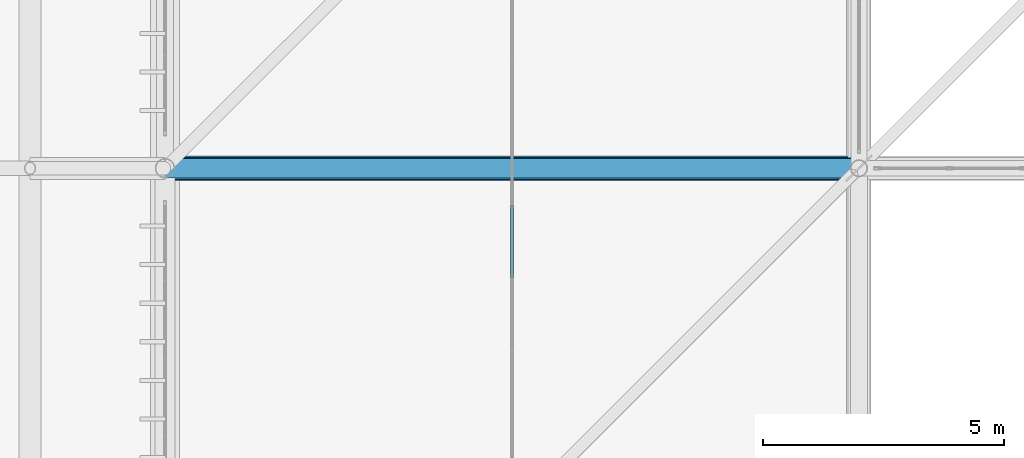
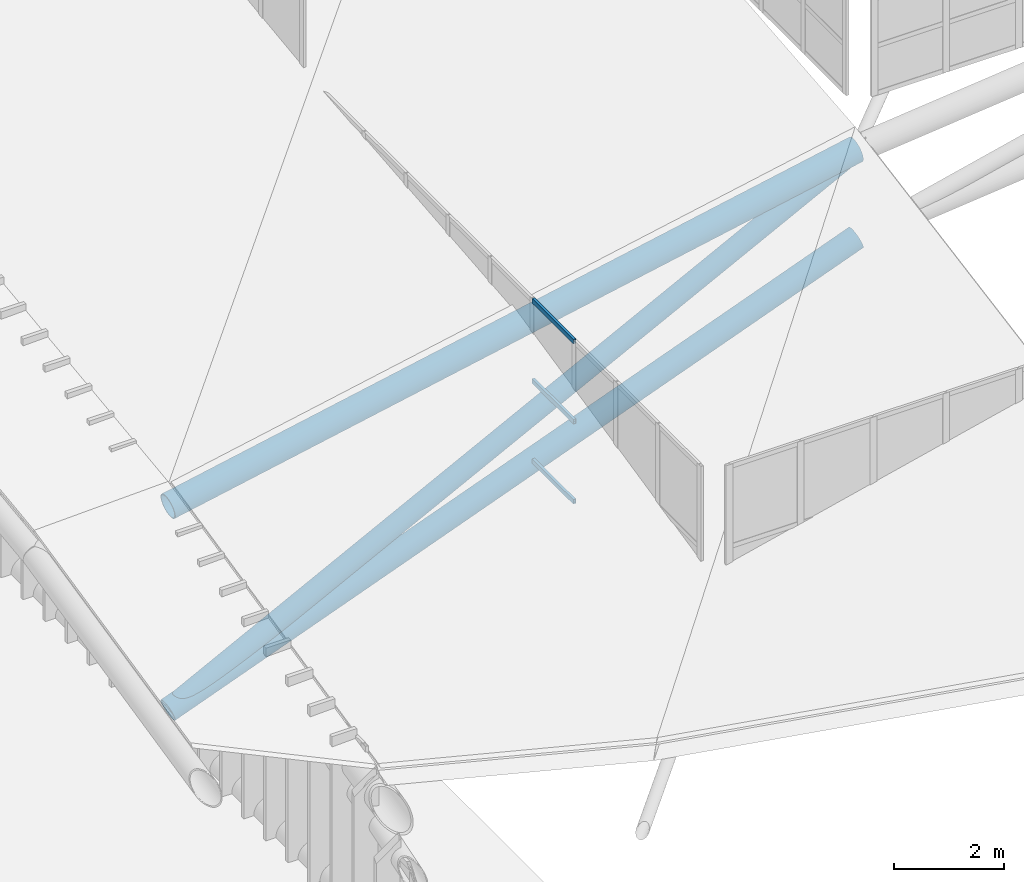
# One storey, part 16 of 397: 4 members, 2 beams, 1 element without a shape of its own.
"""IFC4 building model written with IfcOpenShell, lengths in metres."""

from ifc_helpers import new_model, si_unit, direction, frame, origin, origin_2d, place, context, subcontext, project, spatial, hollow_rectangle, hollow_circle, extrude, material, material_profile, profile_set, type_object, element, aggregate, save


model = new_model("IFC4")

# Units and contexts
model_context = context("Model", 3, precision=1e-05, world=origin(), true_north=direction((0.0, 1.0)))
body_context = subcontext(model_context, "Body", "Model", "MODEL_VIEW")
ifc_project = project(units=[si_unit("LENGTHUNIT", "METRE"), si_unit("AREAUNIT", "SQUARE_METRE"), si_unit("VOLUMEUNIT", "CUBIC_METRE"), si_unit("PLANEANGLEUNIT", "RADIAN"), si_unit("MASSUNIT", "GRAM", prefix="KILO")], contexts=[model_context])

# Site, building, storey
site_placement = place(None, origin())
site = spatial("IfcSite", under=ifc_project, at=site_placement, CompositionType="ELEMENT")
building_placement = place(site_placement, origin())
building = spatial("IfcBuilding", under=site, at=building_placement, Name="Qandorah Velis Arena", CompositionType="ELEMENT")
storey_placement = place(building_placement, frame((0.0, 0.0, 27.5)))
storey = spatial("IfcBuildingStorey", under=building, at=storey_placement, Name="RF", CompositionType="ELEMENT", Elevation=27.5)

# Curtain wall, members
ifc_material_1 = material(Name="Solar-control low-E double glazing", Category="glass")
curtain_wall_type = type_object("IfcCurtainWallType", Name="ARC-CW-SYS07", PredefinedType="USERDEFINED", material=ifc_material_1)
curtain_wall_placement = place(storey_placement, origin())
curtain_wall = element("IfcCurtainWall", 1, at=curtain_wall_placement, inside=storey, type_object=curtain_wall_type, Name="Unitised curtain wall MON-1-1", ObjectType="UNITISED CURTAIN WALL", PredefinedType="USERDEFINED")
ifc_material_2 = material(Name="Champagne-bronze anodized aluminium 6063-T6", Category="aluminium")
ifc_material_profile_1 = material_profile(ifc_material_2, hollow_rectangle(XDim=0.054931640625, YDim=0.10009765625, WallThickness=0.0029296875, at=origin_2d()), Name="ALU TRANSOM 55x100")
ifc_profile_set_1 = profile_set([ifc_material_profile_1], Name="Champagne-bronze anodized aluminium 6063-T6")
member_type_1 = type_object("IfcMemberType", Name="ARC-CWT-100", PredefinedType="USERDEFINED", material=ifc_profile_set_1)
member_1_placement = place(storey_placement, frame((21.60009765625, 26.5322265625, 3.56884765625), z_axis=(0.0, 1.0, 0.0), x_axis=(-1.0, 0.0, 0.0)))
member_1 = element("IfcMember", 2, at=member_1_placement, type_object=member_type_1, Name="CW07 transom 4.1", ObjectType="TRANSOM", PredefinedType="USERDEFINED", context=body_context, shape_type="SweptSolid", body=[
    extrude(hollow_rectangle(XDim=0.054931640625, YDim=0.10009765625, WallThickness=0.0029296875, at=origin_2d()), origin(), (0.0, 0.0, 1.0), 1.4912109375),
])
member_2_placement = place(storey_placement, frame((21.60009765625, 26.5322265625, 5.34130859375), z_axis=(0.0, 1.0, 0.0), x_axis=(-1.0, 0.0, 0.0)))
member_2 = element("IfcMember", 3, at=member_2_placement, type_object=member_type_1, Name="CW07 transom 4.2", ObjectType="TRANSOM", PredefinedType="USERDEFINED", context=body_context, shape_type="SweptSolid", body=[
    extrude(hollow_rectangle(XDim=0.054931640625, YDim=0.10009765625, WallThickness=0.0029296875, at=origin_2d()), origin(), (0.0, 0.0, 1.0), 1.4912109375),
])
member_3_placement = place(storey_placement, frame((21.60009765625, 26.5322265625, 7.114013671875), z_axis=(0.0, 1.0, 0.0), x_axis=(-1.0, 0.0, 0.0)))
member_3 = element("IfcMember", 4, at=member_3_placement, type_object=member_type_1, Name="CW07 transom 4.3", ObjectType="TRANSOM", PredefinedType="USERDEFINED", context=body_context, shape_type="SweptSolid", body=[
    extrude(hollow_rectangle(XDim=0.054931640625, YDim=0.10009765625, WallThickness=0.0029296875, at=origin_2d()), origin(), (0.0, 0.0, 1.0), 1.4912109375),
])
aggregate(curtain_wall, [member_1, member_2, member_3])

# Beams
ifc_material_3 = material(Name="Steel S355", Category="steel")
ifc_material_profile_2 = material_profile(ifc_material_3, hollow_circle(Radius=0.228515625, WallThickness=0.01611328125, at=origin_2d()), Name="CHS 457x16")
ifc_profile_set_2 = profile_set([ifc_material_profile_2], Name="Steel S355")
beam_type_1 = type_object("IfcBeamType", Name="STR-SFC-CHS457X16", PredefinedType="USERDEFINED", material=ifc_profile_set_2)
beam_1_placement = place(storey_placement, frame((14.39990234375, 28.800048828125, 0.10009765625), z_axis=(0.936003351498, 0.0, 0.351991087933), x_axis=(0.0, 1.0, 0.0)))
element("IfcBeam", 5, at=beam_1_placement, inside=storey, type_object=beam_type_1, Name="Space frame roof truss bottom chord X 0.1", ObjectType="ROOF TRUSS", PredefinedType="USERDEFINED", context=body_context, shape_type="SweptSolid", body=[
    extrude(hollow_circle(Radius=0.228515625, WallThickness=0.01611328125, at=origin_2d()), origin(), (0.0, 0.0, 1.0), 15.384765625),
])
ifc_material_profile_3 = material_profile(ifc_material_3, hollow_circle(Radius=0.25390625, WallThickness=0.02001953125, at=origin_2d()), Name="CHS 508x20")
ifc_profile_set_3 = profile_set([ifc_material_profile_3], Name="Steel S355")
beam_type_2 = type_object("IfcBeamType", Name="STR-SFC-CHS508X20", PredefinedType="USERDEFINED", material=ifc_profile_set_3)
beam_2_placement = place(storey_placement, frame((14.39990234375, 28.800048828125, 4.6083984375), z_axis=(0.980882045388, 0.0, 0.194603219489), x_axis=(0.0, 1.0, 0.0)))
element("IfcBeam", 6, at=beam_2_placement, inside=storey, type_object=beam_type_2, Name="Space frame roof truss top chord X 0.1", ObjectType="ROOF TRUSS", PredefinedType="USERDEFINED", context=body_context, shape_type="SweptSolid", body=[
    extrude(hollow_circle(Radius=0.25390625, WallThickness=0.02001953125, at=origin_2d()), origin(), (0.0, 0.0, 1.0), 14.680908203125),
])

# Member
ifc_material_profile_4 = material_profile(ifc_material_3, hollow_circle(Radius=0.203125, WallThickness=0.01611328125, at=origin_2d()), Name="CHS 406.4x16")
ifc_profile_set_4 = profile_set([ifc_material_profile_4], Name="Steel S355")
member_type_2 = type_object("IfcMemberType", Name="STR-SFD-CHS406X16", PredefinedType="STRUT", material=ifc_profile_set_4)
member_4_placement = place(storey_placement, frame((14.39990234375, 28.800048828125, 0.10009765625), z_axis=(0.890305375726, 0.0, 0.455363962072), x_axis=(0.0, 1.0, 0.0)))
element("IfcMember", 7, at=member_4_placement, inside=storey, type_object=member_type_2, Name="Space frame roof diagonal X 0.1", PredefinedType="STRUT", context=body_context, shape_type="SweptSolid", body=[
    extrude(hollow_circle(Radius=0.203125, WallThickness=0.01611328125, at=origin_2d()), origin(), (0.0, 0.0, 1.0), 16.17431640625),
])

save(model, "model.ifc")
